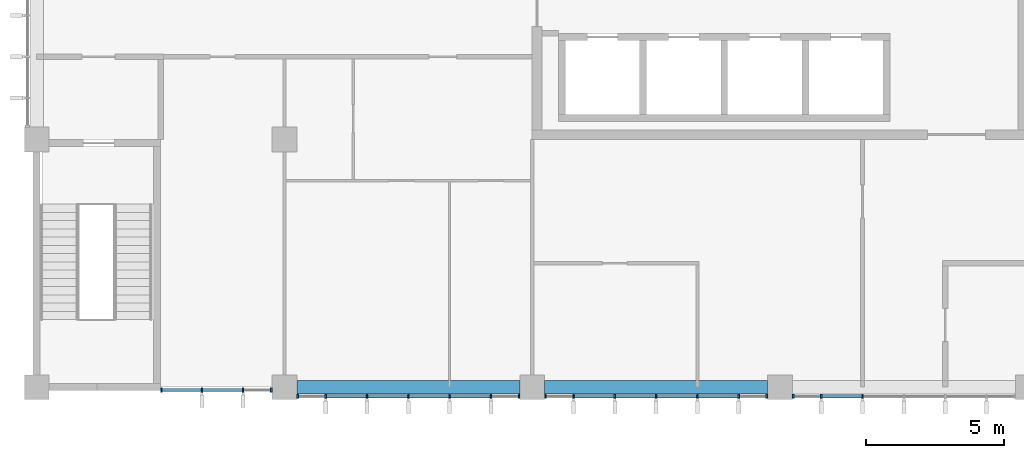
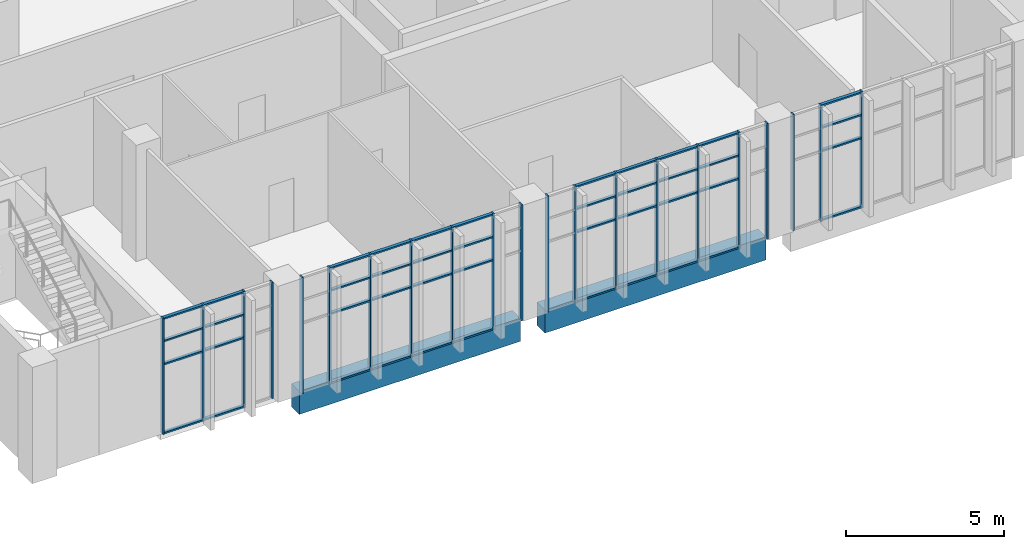
# One storey, part 33 of 79: 65 members, 2 beams, 4 elements without a shape of their own.
"""IFC4 building model written with IfcOpenShell, lengths in metres."""

from ifc_helpers import new_model, si_unit, direction, frame, origin, origin_2d, place, context, subcontext, project, spatial, rectangle, extrude, material, layer, layer_set, material_profile, profile_set, type_object, element, aggregate, save


model = new_model("IFC4")

# Units and contexts
model_context = context("Model", 3, precision=1e-05, world=origin(), true_north=direction((0.0, 1.0)))
body_context = subcontext(model_context, "Body", "Model", "MODEL_VIEW")
ifc_project = project(units=[si_unit("LENGTHUNIT", "METRE"), si_unit("AREAUNIT", "SQUARE_METRE"), si_unit("VOLUMEUNIT", "CUBIC_METRE"), si_unit("PLANEANGLEUNIT", "RADIAN"), si_unit("MASSUNIT", "GRAM", prefix="KILO")], contexts=[model_context])

# Site, building, storey
site_placement = place(None, origin())
site = spatial("IfcSite", under=ifc_project, at=site_placement, CompositionType="ELEMENT")
building_placement = place(site_placement, origin())
building = spatial("IfcBuilding", under=site, at=building_placement, Name="Guidao Yard Department Store", CompositionType="ELEMENT")
storey_placement = place(building_placement, frame((0.0, 0.0, 15.0)))
storey = spatial("IfcBuildingStorey", under=building, at=storey_placement, Name="L03", CompositionType="ELEMENT", Elevation=15.0)

# Curtain wall, members
ifc_material_1 = material(Name="Aluminium and glass", Category="aluminium")
ifc_layer = layer(ifc_material_1, 0.159912109375)
ifc_layer_set = layer_set([ifc_layer], Name="Unitised curtain wall CW4 1500 module")
curtain_wall_type = type_object("IfcCurtainWallType", Name="Unitised curtain wall CW4 1500 module", PredefinedType="NOTDEFINED", material=ifc_layer_set)
curtain_wall_1_placement = place(storey_placement, origin())
curtain_wall_1 = element("IfcCurtainWall", 1, at=curtain_wall_1_placement, inside=storey, type_object=curtain_wall_type, Name="Unitised curtain wall", PredefinedType="NOTDEFINED")
ifc_material_2 = material(Name="Aluminium 6063-T5", Category="aluminium")
ifc_material_profile_1 = material_profile(ifc_material_2, rectangle(XDim=0.06005859375, YDim=0.159912109375, at=origin_2d()), Name="Mullion M1 60 x 160 aluminium pressure plate")
ifc_profile_set_1 = profile_set([ifc_material_profile_1], Name="Aluminium 6063-T5")
member_type_1 = type_object("IfcMemberType", Name="Mullion M1 60 x 160 aluminium pressure plate", PredefinedType="MULLION", material=ifc_profile_set_1)
member_1_placement = place(storey_placement, frame((130.530029296875, -0.10009765625, 0.0), z_axis=(0.0, 0.0, 1.0), x_axis=(-1.0, 0.0, 0.0)))
member_1 = element("IfcMember", 2, at=member_1_placement, type_object=member_type_1, Name="CW-OW-L03-01 mullion 1", PredefinedType="MULLION", context=body_context, shape_type="SweptSolid", body=[
    extrude(rectangle(XDim=0.06005859375, YDim=0.159912109375, at=origin_2d()), origin(), (0.0, 0.0, 1.0), 4.5),
])
member_2_placement = place(storey_placement, frame((132.0, -0.10009765625, 0.0), z_axis=(0.0, 0.0, 1.0), x_axis=(-1.0, 0.0, 0.0)))
member_2 = element("IfcMember", 3, at=member_2_placement, type_object=member_type_1, Name="CW-OW-L03-01 mullion 2", PredefinedType="MULLION", context=body_context, shape_type="SweptSolid", body=[
    extrude(rectangle(XDim=0.06005859375, YDim=0.159912109375, at=origin_2d()), origin(), (0.0, 0.0, 1.0), 4.5),
])
member_3_placement = place(storey_placement, frame((133.5, -0.10009765625, 0.0), z_axis=(0.0, 0.0, 1.0), x_axis=(-1.0, 0.0, 0.0)))
member_3 = element("IfcMember", 4, at=member_3_placement, type_object=member_type_1, Name="CW-OW-L03-01 mullion 3", PredefinedType="MULLION", context=body_context, shape_type="SweptSolid", body=[
    extrude(rectangle(XDim=0.06005859375, YDim=0.159912109375, at=origin_2d()), origin(), (0.0, 0.0, 1.0), 4.5),
])
member_4_placement = place(storey_placement, frame((134.52001953125, -0.10009765625, 0.0), z_axis=(0.0, 0.0, 1.0), x_axis=(-1.0, 0.0, 0.0)))
member_4 = element("IfcMember", 5, at=member_4_placement, type_object=member_type_1, Name="CW-OW-L03-01 mullion 4", PredefinedType="MULLION", context=body_context, shape_type="SweptSolid", body=[
    extrude(rectangle(XDim=0.06005859375, YDim=0.159912109375, at=origin_2d()), origin(), (0.0, 0.0, 1.0), 4.5),
])

curtain_wall_2_placement = place(storey_placement, origin())
curtain_wall_2 = element("IfcCurtainWall", 6, at=curtain_wall_2_placement, inside=storey, type_object=curtain_wall_type, Name="Unitised curtain wall", PredefinedType="NOTDEFINED")
member_5_placement = place(storey_placement, frame((135.47998046875, -0.330078125, 0.0), z_axis=(0.0, 0.0, 1.0), x_axis=(-1.0, 0.0, 0.0)))
member_5 = element("IfcMember", 7, at=member_5_placement, type_object=member_type_1, Name="CW-OW-L03-02 mullion 1", PredefinedType="MULLION", context=body_context, shape_type="SweptSolid", body=[
    extrude(rectangle(XDim=0.06005859375, YDim=0.159912109375, at=origin_2d()), origin(), (0.0, 0.0, 1.0), 4.5),
])
member_6_placement = place(storey_placement, frame((136.5, -0.330078125, 0.0), z_axis=(0.0, 0.0, 1.0), x_axis=(-1.0, 0.0, 0.0)))
member_6 = element("IfcMember", 8, at=member_6_placement, type_object=member_type_1, Name="CW-OW-L03-02 mullion 2", PredefinedType="MULLION", context=body_context, shape_type="SweptSolid", body=[
    extrude(rectangle(XDim=0.06005859375, YDim=0.159912109375, at=origin_2d()), origin(), (0.0, 0.0, 1.0), 4.5),
])
member_7_placement = place(storey_placement, frame((138.0, -0.330078125, 0.0), z_axis=(0.0, 0.0, 1.0), x_axis=(-1.0, 0.0, 0.0)))
member_7 = element("IfcMember", 9, at=member_7_placement, type_object=member_type_1, Name="CW-OW-L03-02 mullion 3", PredefinedType="MULLION", context=body_context, shape_type="SweptSolid", body=[
    extrude(rectangle(XDim=0.06005859375, YDim=0.159912109375, at=origin_2d()), origin(), (0.0, 0.0, 1.0), 4.5),
])
member_8_placement = place(storey_placement, frame((139.5, -0.330078125, 0.0), z_axis=(0.0, 0.0, 1.0), x_axis=(-1.0, 0.0, 0.0)))
member_8 = element("IfcMember", 10, at=member_8_placement, type_object=member_type_1, Name="CW-OW-L03-02 mullion 4", PredefinedType="MULLION", context=body_context, shape_type="SweptSolid", body=[
    extrude(rectangle(XDim=0.06005859375, YDim=0.159912109375, at=origin_2d()), origin(), (0.0, 0.0, 1.0), 4.5),
])
member_9_placement = place(storey_placement, frame((141.0, -0.330078125, 0.0), z_axis=(0.0, 0.0, 1.0), x_axis=(-1.0, 0.0, 0.0)))
member_9 = element("IfcMember", 11, at=member_9_placement, type_object=member_type_1, Name="CW-OW-L03-02 mullion 5", PredefinedType="MULLION", context=body_context, shape_type="SweptSolid", body=[
    extrude(rectangle(XDim=0.06005859375, YDim=0.159912109375, at=origin_2d()), origin(), (0.0, 0.0, 1.0), 4.5),
])
member_10_placement = place(storey_placement, frame((142.5, -0.330078125, 0.0), z_axis=(0.0, 0.0, 1.0), x_axis=(-1.0, 0.0, 0.0)))
member_10 = element("IfcMember", 12, at=member_10_placement, type_object=member_type_1, Name="CW-OW-L03-02 mullion 6", PredefinedType="MULLION", context=body_context, shape_type="SweptSolid", body=[
    extrude(rectangle(XDim=0.06005859375, YDim=0.159912109375, at=origin_2d()), origin(), (0.0, 0.0, 1.0), 4.5),
])
member_11_placement = place(storey_placement, frame((143.52001953125, -0.330078125, 0.0), z_axis=(0.0, 0.0, 1.0), x_axis=(-1.0, 0.0, 0.0)))
member_11 = element("IfcMember", 13, at=member_11_placement, type_object=member_type_1, Name="CW-OW-L03-02 mullion 7", PredefinedType="MULLION", context=body_context, shape_type="SweptSolid", body=[
    extrude(rectangle(XDim=0.06005859375, YDim=0.159912109375, at=origin_2d()), origin(), (0.0, 0.0, 1.0), 4.5),
])

curtain_wall_3_placement = place(storey_placement, origin())
curtain_wall_3 = element("IfcCurtainWall", 14, at=curtain_wall_3_placement, inside=storey, type_object=curtain_wall_type, Name="Unitised curtain wall", PredefinedType="NOTDEFINED")
member_12_placement = place(storey_placement, frame((144.47998046875, -0.330078125, 0.0), z_axis=(0.0, 0.0, 1.0), x_axis=(-1.0, 0.0, 0.0)))
member_12 = element("IfcMember", 15, at=member_12_placement, type_object=member_type_1, Name="CW-OW-L03-03 mullion 1", PredefinedType="MULLION", context=body_context, shape_type="SweptSolid", body=[
    extrude(rectangle(XDim=0.06005859375, YDim=0.159912109375, at=origin_2d()), origin(), (0.0, 0.0, 1.0), 4.5),
])
member_13_placement = place(storey_placement, frame((145.5, -0.330078125, 0.0), z_axis=(0.0, 0.0, 1.0), x_axis=(-1.0, 0.0, 0.0)))
member_13 = element("IfcMember", 16, at=member_13_placement, type_object=member_type_1, Name="CW-OW-L03-03 mullion 2", PredefinedType="MULLION", context=body_context, shape_type="SweptSolid", body=[
    extrude(rectangle(XDim=0.06005859375, YDim=0.159912109375, at=origin_2d()), origin(), (0.0, 0.0, 1.0), 4.5),
])
member_14_placement = place(storey_placement, frame((147.0, -0.330078125, 0.0), z_axis=(0.0, 0.0, 1.0), x_axis=(-1.0, 0.0, 0.0)))
member_14 = element("IfcMember", 17, at=member_14_placement, type_object=member_type_1, Name="CW-OW-L03-03 mullion 3", PredefinedType="MULLION", context=body_context, shape_type="SweptSolid", body=[
    extrude(rectangle(XDim=0.06005859375, YDim=0.159912109375, at=origin_2d()), origin(), (0.0, 0.0, 1.0), 4.5),
])
member_15_placement = place(storey_placement, frame((148.5, -0.330078125, 0.0), z_axis=(0.0, 0.0, 1.0), x_axis=(-1.0, 0.0, 0.0)))
member_15 = element("IfcMember", 18, at=member_15_placement, type_object=member_type_1, Name="CW-OW-L03-03 mullion 4", PredefinedType="MULLION", context=body_context, shape_type="SweptSolid", body=[
    extrude(rectangle(XDim=0.06005859375, YDim=0.159912109375, at=origin_2d()), origin(), (0.0, 0.0, 1.0), 4.5),
])
member_16_placement = place(storey_placement, frame((150.0, -0.330078125, 0.0), z_axis=(0.0, 0.0, 1.0), x_axis=(-1.0, 0.0, 0.0)))
member_16 = element("IfcMember", 19, at=member_16_placement, type_object=member_type_1, Name="CW-OW-L03-03 mullion 5", PredefinedType="MULLION", context=body_context, shape_type="SweptSolid", body=[
    extrude(rectangle(XDim=0.06005859375, YDim=0.159912109375, at=origin_2d()), origin(), (0.0, 0.0, 1.0), 4.5),
])
member_17_placement = place(storey_placement, frame((151.5, -0.330078125, 0.0), z_axis=(0.0, 0.0, 1.0), x_axis=(-1.0, 0.0, 0.0)))
member_17 = element("IfcMember", 20, at=member_17_placement, type_object=member_type_1, Name="CW-OW-L03-03 mullion 6", PredefinedType="MULLION", context=body_context, shape_type="SweptSolid", body=[
    extrude(rectangle(XDim=0.06005859375, YDim=0.159912109375, at=origin_2d()), origin(), (0.0, 0.0, 1.0), 4.5),
])
member_18_placement = place(storey_placement, frame((152.52001953125, -0.330078125, 0.0), z_axis=(0.0, 0.0, 1.0), x_axis=(-1.0, 0.0, 0.0)))
member_18 = element("IfcMember", 21, at=member_18_placement, type_object=member_type_1, Name="CW-OW-L03-03 mullion 7", PredefinedType="MULLION", context=body_context, shape_type="SweptSolid", body=[
    extrude(rectangle(XDim=0.06005859375, YDim=0.159912109375, at=origin_2d()), origin(), (0.0, 0.0, 1.0), 4.5),
])

curtain_wall_4_placement = place(storey_placement, origin())
curtain_wall_4 = element("IfcCurtainWall", 22, at=curtain_wall_4_placement, inside=storey, type_object=curtain_wall_type, Name="Unitised curtain wall", PredefinedType="NOTDEFINED")
member_19_placement = place(storey_placement, frame((153.47998046875, -0.330078125, 0.0), z_axis=(0.0, 0.0, 1.0), x_axis=(-1.0, 0.0, 0.0)))
member_19 = element("IfcMember", 23, at=member_19_placement, type_object=member_type_1, Name="CW-OW-L03-04 mullion 1", PredefinedType="MULLION", context=body_context, shape_type="SweptSolid", body=[
    extrude(rectangle(XDim=0.06005859375, YDim=0.159912109375, at=origin_2d()), origin(), (0.0, 0.0, 1.0), 4.5),
])
member_20_placement = place(storey_placement, frame((154.5, -0.330078125, 0.0), z_axis=(0.0, 0.0, 1.0), x_axis=(-1.0, 0.0, 0.0)))
member_20 = element("IfcMember", 24, at=member_20_placement, type_object=member_type_1, Name="CW-OW-L03-04 mullion 2", PredefinedType="MULLION", context=body_context, shape_type="SweptSolid", body=[
    extrude(rectangle(XDim=0.06005859375, YDim=0.159912109375, at=origin_2d()), origin(), (0.0, 0.0, 1.0), 4.5),
])
member_21_placement = place(storey_placement, frame((156.0, -0.330078125, 0.0), z_axis=(0.0, 0.0, 1.0), x_axis=(-1.0, 0.0, 0.0)))
member_21 = element("IfcMember", 25, at=member_21_placement, type_object=member_type_1, Name="CW-OW-L03-04 mullion 3", PredefinedType="MULLION", context=body_context, shape_type="SweptSolid", body=[
    extrude(rectangle(XDim=0.06005859375, YDim=0.159912109375, at=origin_2d()), origin(), (0.0, 0.0, 1.0), 4.5),
])

# Beams
ifc_material_3 = material(Name="Concrete C40", Category="concrete")
ifc_material_profile_2 = material_profile(ifc_material_3, rectangle(XDim=0.5, YDim=0.89990234375, at=origin_2d()), Name="Spandrel beam 500 x 900 C40")
ifc_profile_set_2 = profile_set([ifc_material_profile_2], Name="Concrete C40")
beam_type = type_object("IfcBeamType", Name="Spandrel beam 500 x 900 C40", PredefinedType="SPANDREL", material=ifc_profile_set_2)
for number, where, z_axis, x_axis, name in (
    (26, (135.449951171875, 0.0, -0.449951171875), (1.0, 0.0, 0.0), (0.0, 1.0, 0.0), "Beam FB01"),
    (27, (144.449951171875, 0.0, -0.449951171875), (1.0, 0.0, 0.0), (0.0, 1.0, 0.0), "Beam FB02"),
):
    element("IfcBeam", number, at=place(storey_placement, frame(where, z_axis=z_axis, x_axis=x_axis)), inside=storey, type_object=beam_type, Name=name, PredefinedType="SPANDREL", context=body_context, shape_type="SweptSolid", body=[
        extrude(rectangle(XDim=0.5, YDim=0.89990234375, at=origin_2d()), origin(), (0.0, 0.0, 1.0), 8.10009765625),
    ])

# Member
ifc_material_4 = material(Name="Aluminium 6063-T5", Category="aluminium")
ifc_material_profile_3 = material_profile(ifc_material_4, rectangle(XDim=0.1201171875, YDim=0.06005859375, at=origin_2d()), Name="Transom T1 60 x 120 aluminium pressure plate")
ifc_profile_set_3 = profile_set([ifc_material_profile_3], Name="Aluminium 6063-T5")
member_type_2 = type_object("IfcMemberType", Name="Transom T1 60 x 120 aluminium pressure plate", PredefinedType="USERDEFINED", material=ifc_profile_set_3)
member_22_placement = place(storey_placement, frame((131.969970703125, -0.10009765625, 0.030029296875), z_axis=(-1.0, 0.0, 0.0), x_axis=(0.0, -1.0, 0.0)))
member_22 = element("IfcMember", 28, at=member_22_placement, type_object=member_type_2, Name="CW-OW-L03-01 transom 1.1", ObjectType="TRANSOM", PredefinedType="USERDEFINED", context=body_context, shape_type="SweptSolid", body=[
    extrude(rectangle(XDim=0.1201171875, YDim=0.06005859375, at=origin_2d()), origin(), (0.0, 0.0, 1.0), 1.409912109375),
])

member_23_placement = place(storey_placement, frame((131.969970703125, -0.10009765625, 2.699951171875), z_axis=(-1.0, 0.0, 0.0), x_axis=(0.0, -1.0, 0.0)))
member_23 = element("IfcMember", 29, at=member_23_placement, type_object=member_type_2, Name="CW-OW-L03-01 transom 1.2", ObjectType="TRANSOM", PredefinedType="USERDEFINED", context=body_context, shape_type="SweptSolid", body=[
    extrude(rectangle(XDim=0.1201171875, YDim=0.06005859375, at=origin_2d()), origin(), (0.0, 0.0, 1.0), 1.409912109375),
])

member_24_placement = place(storey_placement, frame((131.969970703125, -0.10009765625, 3.60009765625), z_axis=(-1.0, 0.0, 0.0), x_axis=(0.0, -1.0, 0.0)))
member_24 = element("IfcMember", 30, at=member_24_placement, type_object=member_type_2, Name="CW-OW-L03-01 transom 1.3", ObjectType="TRANSOM", PredefinedType="USERDEFINED", context=body_context, shape_type="SweptSolid", body=[
    extrude(rectangle(XDim=0.1201171875, YDim=0.06005859375, at=origin_2d()), origin(), (0.0, 0.0, 1.0), 1.409912109375),
])

member_25_placement = place(storey_placement, frame((131.969970703125, -0.10009765625, 4.469970703125), z_axis=(-1.0, 0.0, 0.0), x_axis=(0.0, -1.0, 0.0)))
member_25 = element("IfcMember", 31, at=member_25_placement, type_object=member_type_2, Name="CW-OW-L03-01 transom 1.4", ObjectType="TRANSOM", PredefinedType="USERDEFINED", context=body_context, shape_type="SweptSolid", body=[
    extrude(rectangle(XDim=0.1201171875, YDim=0.06005859375, at=origin_2d()), origin(), (0.0, 0.0, 1.0), 1.409912109375),
])

member_26_placement = place(storey_placement, frame((133.469970703125, -0.10009765625, 0.030029296875), z_axis=(-1.0, 0.0, 0.0), x_axis=(0.0, -1.0, 0.0)))
member_26 = element("IfcMember", 32, at=member_26_placement, type_object=member_type_2, Name="CW-OW-L03-01 transom 2.1", ObjectType="TRANSOM", PredefinedType="USERDEFINED", context=body_context, shape_type="SweptSolid", body=[
    extrude(rectangle(XDim=0.1201171875, YDim=0.06005859375, at=origin_2d()), origin(), (0.0, 0.0, 1.0), 1.43994140625),
])

member_27_placement = place(storey_placement, frame((133.469970703125, -0.10009765625, 2.699951171875), z_axis=(-1.0, 0.0, 0.0), x_axis=(0.0, -1.0, 0.0)))
member_27 = element("IfcMember", 33, at=member_27_placement, type_object=member_type_2, Name="CW-OW-L03-01 transom 2.2", ObjectType="TRANSOM", PredefinedType="USERDEFINED", context=body_context, shape_type="SweptSolid", body=[
    extrude(rectangle(XDim=0.1201171875, YDim=0.06005859375, at=origin_2d()), origin(), (0.0, 0.0, 1.0), 1.43994140625),
])

member_28_placement = place(storey_placement, frame((133.469970703125, -0.10009765625, 3.60009765625), z_axis=(-1.0, 0.0, 0.0), x_axis=(0.0, -1.0, 0.0)))
member_28 = element("IfcMember", 34, at=member_28_placement, type_object=member_type_2, Name="CW-OW-L03-01 transom 2.3", ObjectType="TRANSOM", PredefinedType="USERDEFINED", context=body_context, shape_type="SweptSolid", body=[
    extrude(rectangle(XDim=0.1201171875, YDim=0.06005859375, at=origin_2d()), origin(), (0.0, 0.0, 1.0), 1.43994140625),
])

member_29_placement = place(storey_placement, frame((133.469970703125, -0.10009765625, 4.469970703125), z_axis=(-1.0, 0.0, 0.0), x_axis=(0.0, -1.0, 0.0)))
member_29 = element("IfcMember", 35, at=member_29_placement, type_object=member_type_2, Name="CW-OW-L03-01 transom 2.4", ObjectType="TRANSOM", PredefinedType="USERDEFINED", context=body_context, shape_type="SweptSolid", body=[
    extrude(rectangle(XDim=0.1201171875, YDim=0.06005859375, at=origin_2d()), origin(), (0.0, 0.0, 1.0), 1.43994140625),
])

aggregate(curtain_wall_1, [member_1, member_2, member_3, member_4, member_22, member_23, member_24, member_25, member_26, member_27, member_28, member_29])

member_30_placement = place(storey_placement, frame((137.969970703125, -0.330078125, 0.030029296875), z_axis=(-1.0, 0.0, 0.0), x_axis=(0.0, -1.0, 0.0)))
member_30 = element("IfcMember", 36, at=member_30_placement, type_object=member_type_2, Name="CW-OW-L03-02 transom 2.1", ObjectType="TRANSOM", PredefinedType="USERDEFINED", context=body_context, shape_type="SweptSolid", body=[
    extrude(rectangle(XDim=0.1201171875, YDim=0.06005859375, at=origin_2d()), origin(), (0.0, 0.0, 1.0), 1.43994140625),
])

member_31_placement = place(storey_placement, frame((137.969970703125, -0.330078125, 2.699951171875), z_axis=(-1.0, 0.0, 0.0), x_axis=(0.0, -1.0, 0.0)))
member_31 = element("IfcMember", 37, at=member_31_placement, type_object=member_type_2, Name="CW-OW-L03-02 transom 2.2", ObjectType="TRANSOM", PredefinedType="USERDEFINED", context=body_context, shape_type="SweptSolid", body=[
    extrude(rectangle(XDim=0.1201171875, YDim=0.06005859375, at=origin_2d()), origin(), (0.0, 0.0, 1.0), 1.43994140625),
])

member_32_placement = place(storey_placement, frame((137.969970703125, -0.330078125, 3.60009765625), z_axis=(-1.0, 0.0, 0.0), x_axis=(0.0, -1.0, 0.0)))
member_32 = element("IfcMember", 38, at=member_32_placement, type_object=member_type_2, Name="CW-OW-L03-02 transom 2.3", ObjectType="TRANSOM", PredefinedType="USERDEFINED", context=body_context, shape_type="SweptSolid", body=[
    extrude(rectangle(XDim=0.1201171875, YDim=0.06005859375, at=origin_2d()), origin(), (0.0, 0.0, 1.0), 1.43994140625),
])

member_33_placement = place(storey_placement, frame((137.969970703125, -0.330078125, 4.469970703125), z_axis=(-1.0, 0.0, 0.0), x_axis=(0.0, -1.0, 0.0)))
member_33 = element("IfcMember", 39, at=member_33_placement, type_object=member_type_2, Name="CW-OW-L03-02 transom 2.4", ObjectType="TRANSOM", PredefinedType="USERDEFINED", context=body_context, shape_type="SweptSolid", body=[
    extrude(rectangle(XDim=0.1201171875, YDim=0.06005859375, at=origin_2d()), origin(), (0.0, 0.0, 1.0), 1.43994140625),
])

member_34_placement = place(storey_placement, frame((139.469970703125, -0.330078125, 0.030029296875), z_axis=(-1.0, 0.0, 0.0), x_axis=(0.0, -1.0, 0.0)))
member_34 = element("IfcMember", 40, at=member_34_placement, type_object=member_type_2, Name="CW-OW-L03-02 transom 3.1", ObjectType="TRANSOM", PredefinedType="USERDEFINED", context=body_context, shape_type="SweptSolid", body=[
    extrude(rectangle(XDim=0.1201171875, YDim=0.06005859375, at=origin_2d()), origin(), (0.0, 0.0, 1.0), 1.43994140625),
])

member_35_placement = place(storey_placement, frame((139.469970703125, -0.330078125, 2.699951171875), z_axis=(-1.0, 0.0, 0.0), x_axis=(0.0, -1.0, 0.0)))
member_35 = element("IfcMember", 41, at=member_35_placement, type_object=member_type_2, Name="CW-OW-L03-02 transom 3.2", ObjectType="TRANSOM", PredefinedType="USERDEFINED", context=body_context, shape_type="SweptSolid", body=[
    extrude(rectangle(XDim=0.1201171875, YDim=0.06005859375, at=origin_2d()), origin(), (0.0, 0.0, 1.0), 1.43994140625),
])

member_36_placement = place(storey_placement, frame((139.469970703125, -0.330078125, 3.60009765625), z_axis=(-1.0, 0.0, 0.0), x_axis=(0.0, -1.0, 0.0)))
member_36 = element("IfcMember", 42, at=member_36_placement, type_object=member_type_2, Name="CW-OW-L03-02 transom 3.3", ObjectType="TRANSOM", PredefinedType="USERDEFINED", context=body_context, shape_type="SweptSolid", body=[
    extrude(rectangle(XDim=0.1201171875, YDim=0.06005859375, at=origin_2d()), origin(), (0.0, 0.0, 1.0), 1.43994140625),
])

member_37_placement = place(storey_placement, frame((139.469970703125, -0.330078125, 4.469970703125), z_axis=(-1.0, 0.0, 0.0), x_axis=(0.0, -1.0, 0.0)))
member_37 = element("IfcMember", 43, at=member_37_placement, type_object=member_type_2, Name="CW-OW-L03-02 transom 3.4", ObjectType="TRANSOM", PredefinedType="USERDEFINED", context=body_context, shape_type="SweptSolid", body=[
    extrude(rectangle(XDim=0.1201171875, YDim=0.06005859375, at=origin_2d()), origin(), (0.0, 0.0, 1.0), 1.43994140625),
])

member_38_placement = place(storey_placement, frame((140.969970703125, -0.330078125, 0.030029296875), z_axis=(-1.0, 0.0, 0.0), x_axis=(0.0, -1.0, 0.0)))
member_38 = element("IfcMember", 44, at=member_38_placement, type_object=member_type_2, Name="CW-OW-L03-02 transom 4.1", ObjectType="TRANSOM", PredefinedType="USERDEFINED", context=body_context, shape_type="SweptSolid", body=[
    extrude(rectangle(XDim=0.1201171875, YDim=0.06005859375, at=origin_2d()), origin(), (0.0, 0.0, 1.0), 1.43994140625),
])

member_39_placement = place(storey_placement, frame((140.969970703125, -0.330078125, 2.699951171875), z_axis=(-1.0, 0.0, 0.0), x_axis=(0.0, -1.0, 0.0)))
member_39 = element("IfcMember", 45, at=member_39_placement, type_object=member_type_2, Name="CW-OW-L03-02 transom 4.2", ObjectType="TRANSOM", PredefinedType="USERDEFINED", context=body_context, shape_type="SweptSolid", body=[
    extrude(rectangle(XDim=0.1201171875, YDim=0.06005859375, at=origin_2d()), origin(), (0.0, 0.0, 1.0), 1.43994140625),
])

member_40_placement = place(storey_placement, frame((140.969970703125, -0.330078125, 3.60009765625), z_axis=(-1.0, 0.0, 0.0), x_axis=(0.0, -1.0, 0.0)))
member_40 = element("IfcMember", 46, at=member_40_placement, type_object=member_type_2, Name="CW-OW-L03-02 transom 4.3", ObjectType="TRANSOM", PredefinedType="USERDEFINED", context=body_context, shape_type="SweptSolid", body=[
    extrude(rectangle(XDim=0.1201171875, YDim=0.06005859375, at=origin_2d()), origin(), (0.0, 0.0, 1.0), 1.43994140625),
])

member_41_placement = place(storey_placement, frame((140.969970703125, -0.330078125, 4.469970703125), z_axis=(-1.0, 0.0, 0.0), x_axis=(0.0, -1.0, 0.0)))
member_41 = element("IfcMember", 47, at=member_41_placement, type_object=member_type_2, Name="CW-OW-L03-02 transom 4.4", ObjectType="TRANSOM", PredefinedType="USERDEFINED", context=body_context, shape_type="SweptSolid", body=[
    extrude(rectangle(XDim=0.1201171875, YDim=0.06005859375, at=origin_2d()), origin(), (0.0, 0.0, 1.0), 1.43994140625),
])

member_42_placement = place(storey_placement, frame((142.469970703125, -0.330078125, 0.030029296875), z_axis=(-1.0, 0.0, 0.0), x_axis=(0.0, -1.0, 0.0)))
member_42 = element("IfcMember", 48, at=member_42_placement, type_object=member_type_2, Name="CW-OW-L03-02 transom 5.1", ObjectType="TRANSOM", PredefinedType="USERDEFINED", context=body_context, shape_type="SweptSolid", body=[
    extrude(rectangle(XDim=0.1201171875, YDim=0.06005859375, at=origin_2d()), origin(), (0.0, 0.0, 1.0), 1.43994140625),
])

member_43_placement = place(storey_placement, frame((142.469970703125, -0.330078125, 2.699951171875), z_axis=(-1.0, 0.0, 0.0), x_axis=(0.0, -1.0, 0.0)))
member_43 = element("IfcMember", 49, at=member_43_placement, type_object=member_type_2, Name="CW-OW-L03-02 transom 5.2", ObjectType="TRANSOM", PredefinedType="USERDEFINED", context=body_context, shape_type="SweptSolid", body=[
    extrude(rectangle(XDim=0.1201171875, YDim=0.06005859375, at=origin_2d()), origin(), (0.0, 0.0, 1.0), 1.43994140625),
])

member_44_placement = place(storey_placement, frame((142.469970703125, -0.330078125, 3.60009765625), z_axis=(-1.0, 0.0, 0.0), x_axis=(0.0, -1.0, 0.0)))
member_44 = element("IfcMember", 50, at=member_44_placement, type_object=member_type_2, Name="CW-OW-L03-02 transom 5.3", ObjectType="TRANSOM", PredefinedType="USERDEFINED", context=body_context, shape_type="SweptSolid", body=[
    extrude(rectangle(XDim=0.1201171875, YDim=0.06005859375, at=origin_2d()), origin(), (0.0, 0.0, 1.0), 1.43994140625),
])

member_45_placement = place(storey_placement, frame((142.469970703125, -0.330078125, 4.469970703125), z_axis=(-1.0, 0.0, 0.0), x_axis=(0.0, -1.0, 0.0)))
member_45 = element("IfcMember", 51, at=member_45_placement, type_object=member_type_2, Name="CW-OW-L03-02 transom 5.4", ObjectType="TRANSOM", PredefinedType="USERDEFINED", context=body_context, shape_type="SweptSolid", body=[
    extrude(rectangle(XDim=0.1201171875, YDim=0.06005859375, at=origin_2d()), origin(), (0.0, 0.0, 1.0), 1.43994140625),
])

aggregate(curtain_wall_2, [member_5, member_6, member_7, member_8, member_9, member_10, member_11, member_30, member_31, member_32, member_33, member_34, member_35, member_36, member_37, member_38, member_39, member_40, member_41, member_42, member_43, member_44, member_45])

member_46_placement = place(storey_placement, frame((146.969970703125, -0.330078125, 0.030029296875), z_axis=(-1.0, 0.0, 0.0), x_axis=(0.0, -1.0, 0.0)))
member_46 = element("IfcMember", 52, at=member_46_placement, type_object=member_type_2, Name="CW-OW-L03-03 transom 2.1", ObjectType="TRANSOM", PredefinedType="USERDEFINED", context=body_context, shape_type="SweptSolid", body=[
    extrude(rectangle(XDim=0.1201171875, YDim=0.06005859375, at=origin_2d()), origin(), (0.0, 0.0, 1.0), 1.43994140625),
])

member_47_placement = place(storey_placement, frame((146.969970703125, -0.330078125, 2.699951171875), z_axis=(-1.0, 0.0, 0.0), x_axis=(0.0, -1.0, 0.0)))
member_47 = element("IfcMember", 53, at=member_47_placement, type_object=member_type_2, Name="CW-OW-L03-03 transom 2.2", ObjectType="TRANSOM", PredefinedType="USERDEFINED", context=body_context, shape_type="SweptSolid", body=[
    extrude(rectangle(XDim=0.1201171875, YDim=0.06005859375, at=origin_2d()), origin(), (0.0, 0.0, 1.0), 1.43994140625),
])

member_48_placement = place(storey_placement, frame((146.969970703125, -0.330078125, 3.60009765625), z_axis=(-1.0, 0.0, 0.0), x_axis=(0.0, -1.0, 0.0)))
member_48 = element("IfcMember", 54, at=member_48_placement, type_object=member_type_2, Name="CW-OW-L03-03 transom 2.3", ObjectType="TRANSOM", PredefinedType="USERDEFINED", context=body_context, shape_type="SweptSolid", body=[
    extrude(rectangle(XDim=0.1201171875, YDim=0.06005859375, at=origin_2d()), origin(), (0.0, 0.0, 1.0), 1.43994140625),
])

member_49_placement = place(storey_placement, frame((146.969970703125, -0.330078125, 4.469970703125), z_axis=(-1.0, 0.0, 0.0), x_axis=(0.0, -1.0, 0.0)))
member_49 = element("IfcMember", 55, at=member_49_placement, type_object=member_type_2, Name="CW-OW-L03-03 transom 2.4", ObjectType="TRANSOM", PredefinedType="USERDEFINED", context=body_context, shape_type="SweptSolid", body=[
    extrude(rectangle(XDim=0.1201171875, YDim=0.06005859375, at=origin_2d()), origin(), (0.0, 0.0, 1.0), 1.43994140625),
])

member_50_placement = place(storey_placement, frame((148.469970703125, -0.330078125, 0.030029296875), z_axis=(-1.0, 0.0, 0.0), x_axis=(0.0, -1.0, 0.0)))
member_50 = element("IfcMember", 56, at=member_50_placement, type_object=member_type_2, Name="CW-OW-L03-03 transom 3.1", ObjectType="TRANSOM", PredefinedType="USERDEFINED", context=body_context, shape_type="SweptSolid", body=[
    extrude(rectangle(XDim=0.1201171875, YDim=0.06005859375, at=origin_2d()), origin(), (0.0, 0.0, 1.0), 1.43994140625),
])

member_51_placement = place(storey_placement, frame((148.469970703125, -0.330078125, 2.699951171875), z_axis=(-1.0, 0.0, 0.0), x_axis=(0.0, -1.0, 0.0)))
member_51 = element("IfcMember", 57, at=member_51_placement, type_object=member_type_2, Name="CW-OW-L03-03 transom 3.2", ObjectType="TRANSOM", PredefinedType="USERDEFINED", context=body_context, shape_type="SweptSolid", body=[
    extrude(rectangle(XDim=0.1201171875, YDim=0.06005859375, at=origin_2d()), origin(), (0.0, 0.0, 1.0), 1.43994140625),
])

member_52_placement = place(storey_placement, frame((148.469970703125, -0.330078125, 3.60009765625), z_axis=(-1.0, 0.0, 0.0), x_axis=(0.0, -1.0, 0.0)))
member_52 = element("IfcMember", 58, at=member_52_placement, type_object=member_type_2, Name="CW-OW-L03-03 transom 3.3", ObjectType="TRANSOM", PredefinedType="USERDEFINED", context=body_context, shape_type="SweptSolid", body=[
    extrude(rectangle(XDim=0.1201171875, YDim=0.06005859375, at=origin_2d()), origin(), (0.0, 0.0, 1.0), 1.43994140625),
])

member_53_placement = place(storey_placement, frame((148.469970703125, -0.330078125, 4.469970703125), z_axis=(-1.0, 0.0, 0.0), x_axis=(0.0, -1.0, 0.0)))
member_53 = element("IfcMember", 59, at=member_53_placement, type_object=member_type_2, Name="CW-OW-L03-03 transom 3.4", ObjectType="TRANSOM", PredefinedType="USERDEFINED", context=body_context, shape_type="SweptSolid", body=[
    extrude(rectangle(XDim=0.1201171875, YDim=0.06005859375, at=origin_2d()), origin(), (0.0, 0.0, 1.0), 1.43994140625),
])

member_54_placement = place(storey_placement, frame((149.969970703125, -0.330078125, 0.030029296875), z_axis=(-1.0, 0.0, 0.0), x_axis=(0.0, -1.0, 0.0)))
member_54 = element("IfcMember", 60, at=member_54_placement, type_object=member_type_2, Name="CW-OW-L03-03 transom 4.1", ObjectType="TRANSOM", PredefinedType="USERDEFINED", context=body_context, shape_type="SweptSolid", body=[
    extrude(rectangle(XDim=0.1201171875, YDim=0.06005859375, at=origin_2d()), origin(), (0.0, 0.0, 1.0), 1.43994140625),
])

member_55_placement = place(storey_placement, frame((149.969970703125, -0.330078125, 2.699951171875), z_axis=(-1.0, 0.0, 0.0), x_axis=(0.0, -1.0, 0.0)))
member_55 = element("IfcMember", 61, at=member_55_placement, type_object=member_type_2, Name="CW-OW-L03-03 transom 4.2", ObjectType="TRANSOM", PredefinedType="USERDEFINED", context=body_context, shape_type="SweptSolid", body=[
    extrude(rectangle(XDim=0.1201171875, YDim=0.06005859375, at=origin_2d()), origin(), (0.0, 0.0, 1.0), 1.43994140625),
])

member_56_placement = place(storey_placement, frame((149.969970703125, -0.330078125, 3.60009765625), z_axis=(-1.0, 0.0, 0.0), x_axis=(0.0, -1.0, 0.0)))
member_56 = element("IfcMember", 62, at=member_56_placement, type_object=member_type_2, Name="CW-OW-L03-03 transom 4.3", ObjectType="TRANSOM", PredefinedType="USERDEFINED", context=body_context, shape_type="SweptSolid", body=[
    extrude(rectangle(XDim=0.1201171875, YDim=0.06005859375, at=origin_2d()), origin(), (0.0, 0.0, 1.0), 1.43994140625),
])

member_57_placement = place(storey_placement, frame((149.969970703125, -0.330078125, 4.469970703125), z_axis=(-1.0, 0.0, 0.0), x_axis=(0.0, -1.0, 0.0)))
member_57 = element("IfcMember", 63, at=member_57_placement, type_object=member_type_2, Name="CW-OW-L03-03 transom 4.4", ObjectType="TRANSOM", PredefinedType="USERDEFINED", context=body_context, shape_type="SweptSolid", body=[
    extrude(rectangle(XDim=0.1201171875, YDim=0.06005859375, at=origin_2d()), origin(), (0.0, 0.0, 1.0), 1.43994140625),
])

member_58_placement = place(storey_placement, frame((151.469970703125, -0.330078125, 0.030029296875), z_axis=(-1.0, 0.0, 0.0), x_axis=(0.0, -1.0, 0.0)))
member_58 = element("IfcMember", 64, at=member_58_placement, type_object=member_type_2, Name="CW-OW-L03-03 transom 5.1", ObjectType="TRANSOM", PredefinedType="USERDEFINED", context=body_context, shape_type="SweptSolid", body=[
    extrude(rectangle(XDim=0.1201171875, YDim=0.06005859375, at=origin_2d()), origin(), (0.0, 0.0, 1.0), 1.43994140625),
])

member_59_placement = place(storey_placement, frame((151.469970703125, -0.330078125, 2.699951171875), z_axis=(-1.0, 0.0, 0.0), x_axis=(0.0, -1.0, 0.0)))
member_59 = element("IfcMember", 65, at=member_59_placement, type_object=member_type_2, Name="CW-OW-L03-03 transom 5.2", ObjectType="TRANSOM", PredefinedType="USERDEFINED", context=body_context, shape_type="SweptSolid", body=[
    extrude(rectangle(XDim=0.1201171875, YDim=0.06005859375, at=origin_2d()), origin(), (0.0, 0.0, 1.0), 1.43994140625),
])

member_60_placement = place(storey_placement, frame((151.469970703125, -0.330078125, 3.60009765625), z_axis=(-1.0, 0.0, 0.0), x_axis=(0.0, -1.0, 0.0)))
member_60 = element("IfcMember", 66, at=member_60_placement, type_object=member_type_2, Name="CW-OW-L03-03 transom 5.3", ObjectType="TRANSOM", PredefinedType="USERDEFINED", context=body_context, shape_type="SweptSolid", body=[
    extrude(rectangle(XDim=0.1201171875, YDim=0.06005859375, at=origin_2d()), origin(), (0.0, 0.0, 1.0), 1.43994140625),
])

member_61_placement = place(storey_placement, frame((151.469970703125, -0.330078125, 4.469970703125), z_axis=(-1.0, 0.0, 0.0), x_axis=(0.0, -1.0, 0.0)))
member_61 = element("IfcMember", 67, at=member_61_placement, type_object=member_type_2, Name="CW-OW-L03-03 transom 5.4", ObjectType="TRANSOM", PredefinedType="USERDEFINED", context=body_context, shape_type="SweptSolid", body=[
    extrude(rectangle(XDim=0.1201171875, YDim=0.06005859375, at=origin_2d()), origin(), (0.0, 0.0, 1.0), 1.43994140625),
])

aggregate(curtain_wall_3, [member_12, member_13, member_14, member_15, member_16, member_17, member_18, member_46, member_47, member_48, member_49, member_50, member_51, member_52, member_53, member_54, member_55, member_56, member_57, member_58, member_59, member_60, member_61])

member_62_placement = place(storey_placement, frame((155.969970703125, -0.330078125, 0.030029296875), z_axis=(-1.0, 0.0, 0.0), x_axis=(0.0, -1.0, 0.0)))
member_62 = element("IfcMember", 68, at=member_62_placement, type_object=member_type_2, Name="CW-OW-L03-04 transom 2.1", ObjectType="TRANSOM", PredefinedType="USERDEFINED", context=body_context, shape_type="SweptSolid", body=[
    extrude(rectangle(XDim=0.1201171875, YDim=0.06005859375, at=origin_2d()), origin(), (0.0, 0.0, 1.0), 1.43994140625),
])

member_63_placement = place(storey_placement, frame((155.969970703125, -0.330078125, 2.699951171875), z_axis=(-1.0, 0.0, 0.0), x_axis=(0.0, -1.0, 0.0)))
member_63 = element("IfcMember", 69, at=member_63_placement, type_object=member_type_2, Name="CW-OW-L03-04 transom 2.2", ObjectType="TRANSOM", PredefinedType="USERDEFINED", context=body_context, shape_type="SweptSolid", body=[
    extrude(rectangle(XDim=0.1201171875, YDim=0.06005859375, at=origin_2d()), origin(), (0.0, 0.0, 1.0), 1.43994140625),
])

member_64_placement = place(storey_placement, frame((155.969970703125, -0.330078125, 3.60009765625), z_axis=(-1.0, 0.0, 0.0), x_axis=(0.0, -1.0, 0.0)))
member_64 = element("IfcMember", 70, at=member_64_placement, type_object=member_type_2, Name="CW-OW-L03-04 transom 2.3", ObjectType="TRANSOM", PredefinedType="USERDEFINED", context=body_context, shape_type="SweptSolid", body=[
    extrude(rectangle(XDim=0.1201171875, YDim=0.06005859375, at=origin_2d()), origin(), (0.0, 0.0, 1.0), 1.43994140625),
])

member_65_placement = place(storey_placement, frame((155.969970703125, -0.330078125, 4.469970703125), z_axis=(-1.0, 0.0, 0.0), x_axis=(0.0, -1.0, 0.0)))
member_65 = element("IfcMember", 71, at=member_65_placement, type_object=member_type_2, Name="CW-OW-L03-04 transom 2.4", ObjectType="TRANSOM", PredefinedType="USERDEFINED", context=body_context, shape_type="SweptSolid", body=[
    extrude(rectangle(XDim=0.1201171875, YDim=0.06005859375, at=origin_2d()), origin(), (0.0, 0.0, 1.0), 1.43994140625),
])

aggregate(curtain_wall_4, [member_19, member_20, member_21, member_62, member_63, member_64, member_65])

save(model, "model.ifc")
